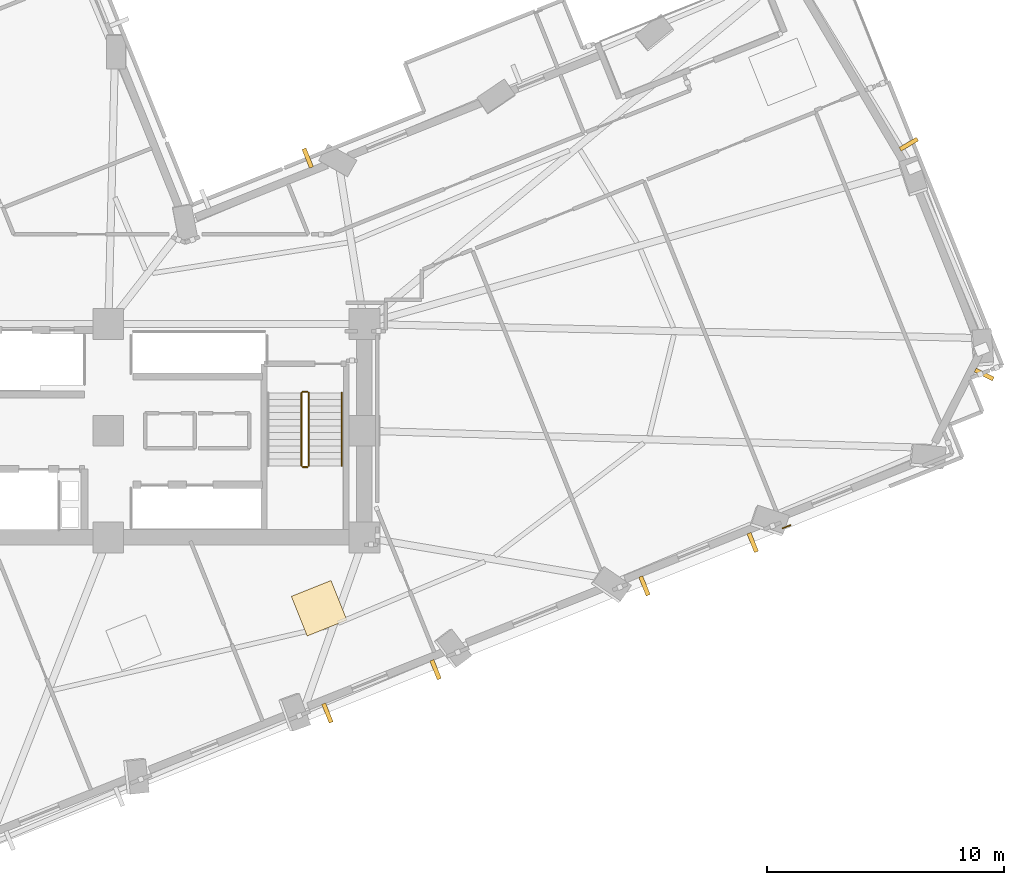
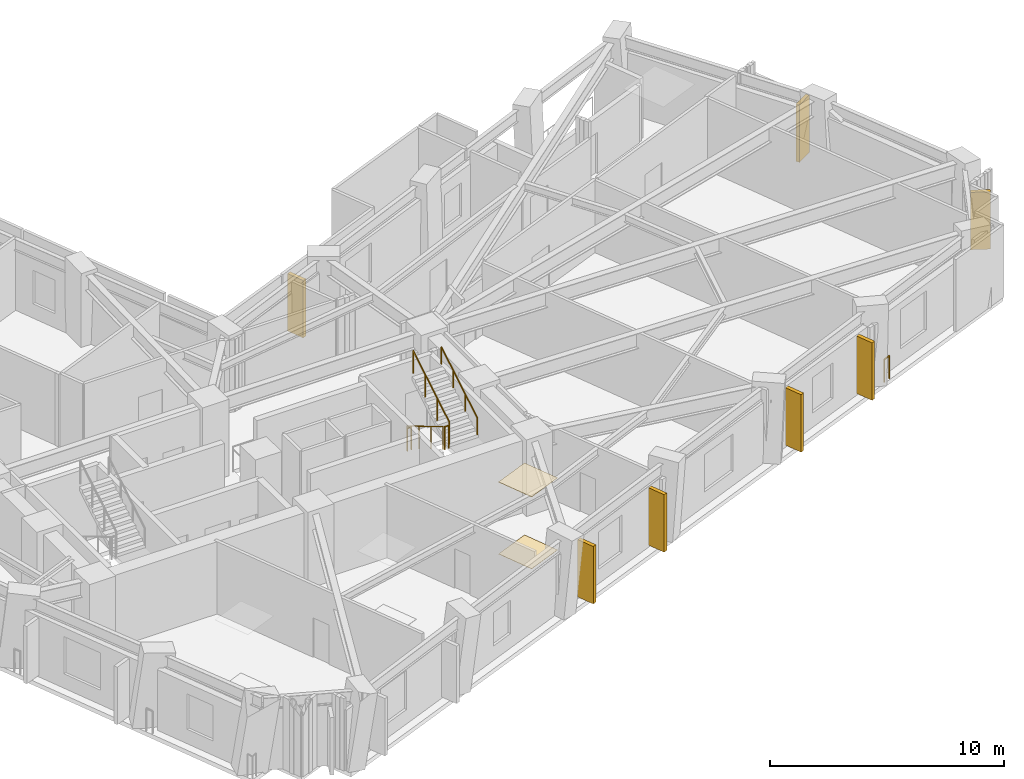
# One storey, part 14 of 16: 7 shading devices, 6 railings, 2 coverings.
"""IFC4 building model written with IfcOpenShell, lengths in metres."""

from ifc_helpers import new_model, si_unit, direction, frame, origin, origin_2d, place, context, subcontext, project, spatial, rectangle, circle, extrude, material, layer, layer_set, type_object, element, save


model = new_model("IFC4")

# Units and contexts
model_context = context("Model", 3, precision=1e-05, world=origin(), true_north=direction((0.0, 1.0)))
body_context = subcontext(model_context, "Body", "Model", "MODEL_VIEW")
ifc_project = project(units=[si_unit("LENGTHUNIT", "METRE"), si_unit("AREAUNIT", "SQUARE_METRE"), si_unit("VOLUMEUNIT", "CUBIC_METRE"), si_unit("PLANEANGLEUNIT", "RADIAN"), si_unit("MASSUNIT", "GRAM", prefix="KILO")], contexts=[model_context])

# Site, building, storey
site_placement = place(None, origin())
site = spatial("IfcSite", under=ifc_project, at=site_placement, CompositionType="ELEMENT")
building_placement = place(site_placement, origin())
building = spatial("IfcBuilding", under=site, at=building_placement, Name="Gaonmaruhae Medical Tower", CompositionType="ELEMENT")
storey_placement = place(building_placement, frame((0.0, 0.0, 116.39990234375)))
storey = spatial("IfcBuildingStorey", under=building, at=storey_placement, Name="L27", CompositionType="ELEMENT", Elevation=116.39990234375)

# Coverings
ifc_material_1 = material(Name="Acoustic mineral ceiling tile", Category="finish")
ifc_layer_1 = layer(ifc_material_1, 0.02490234375)
ifc_layer_set_1 = layer_set([ifc_layer_1], Name="Acoustic mineral ceiling tile")
covering_type_1 = type_object("IfcCoveringType", Name="CLG-01 Antimicrobial Acoustic Mineral Ceiling", PredefinedType="CEILING", material=ifc_layer_set_1)
covering_1_placement = place(storey_placement, frame((33.689208984375, 4.8154296875, 3.755126953125), z_axis=(0.0, 0.0, 1.0), x_axis=(0.928161393808, 0.372177950778, 0.0)))
element("IfcCovering", 1, at=covering_1_placement, inside=storey, type_object=covering_type_1, Name="L27 Clinical Room Acoustic Ceiling 4", PredefinedType="CEILING", context=body_context, shape_type="SweptSolid", body=[
    extrude(rectangle(XDim=1.800048828125, YDim=1.800048828125, at=origin_2d()), origin(), (0.0, 0.0, 1.0), 0.02490234375),
])
ifc_material_2 = material(Name="Seamless clinical vinyl flooring", Category="finish")
ifc_layer_2 = layer(ifc_material_2, 0.014892578125)
ifc_layer_set_2 = layer_set([ifc_layer_2], Name="Seamless clinical vinyl flooring")
covering_type_2 = type_object("IfcCoveringType", Name="FLR-01 Seamless Clinical Antistatic Vinyl Flooring", PredefinedType="FLOORING", material=ifc_layer_set_2)
covering_2_placement = place(storey_placement, frame((33.689208984375, 4.8154296875, 0.0), z_axis=(0.0, 0.0, 1.0), x_axis=(0.928161393808, 0.372177950778, 0.0)))
element("IfcCovering", 2, at=covering_2_placement, inside=storey, type_object=covering_type_2, Name="L27 Clinical Room Vinyl Flooring 4", PredefinedType="FLOORING", context=body_context, shape_type="SweptSolid", body=[
    extrude(rectangle(XDim=1.800048828125, YDim=1.800048828125, at=origin_2d()), origin(), (0.0, 0.0, 1.0), 0.014892578125),
])

# Railings
ifc_material_3 = material(Name="Stainless steel 316L and laminated safety glass", Category="steel")
ifc_layer_3 = layer(ifc_material_3, 0.080078125)
ifc_layer_set_3 = layer_set([ifc_layer_3], Name="Stainless steel 316L and laminated safety glass")
railing_type_1 = type_object("IfcRailingType", Name="GD-120 Outdoor Terrace Safety Glass & Steel Balustrade", PredefinedType="BALUSTRADE", material=ifc_layer_set_3)
railing_1_placement = place(storey_placement, frame((53.5576171875, 8.3134765625, 0.0)))
element("IfcRailing", 3, at=railing_1_placement, inside=storey, type_object=railing_type_1, Name="L27 Perimeter Slab Edge Safety Balustrade 03", PredefinedType="BALUSTRADE", context=body_context, shape_type="SweptSolid", body=[
    extrude(circle(Radius=0.02392578125, at=origin_2d()), frame((0.0, 0.0, 1.17578125), z_axis=(-0.927979749279, -0.372630628005, 0.0), x_axis=(0.372630628005, -0.927979749279, 0.0)), (0.0, 0.0, 1.0), 0.33935546875),
    extrude(circle(Radius=0.02099609375, at=origin_2d()), origin(), (0.0, 0.0, 1.0), 1.15185546875),
    extrude(circle(Radius=0.02099609375, at=origin_2d()), frame((-0.31494140625, -0.12646484375, 0.0)), (0.0, 0.0, 1.0), 1.15185546875),
])
ifc_material_4 = material(Name="Stainless steel 304 handrail", Category="steel")
railing_type_2 = type_object("IfcRailingType", Name="HR-092 Continuous Stainless Steel Stair Handrail", PredefinedType="HANDRAIL", material=ifc_material_4)
railing_2_placement = place(storey_placement, frame((34.64990234375, 10.820068359375, 2.166748046875)))
element("IfcRailing", 4, at=railing_2_placement, inside=storey, type_object=railing_type_2, Name="L27 ST-02 stair handrail 2", PredefinedType="HANDRAIL", context=body_context, shape_type="SweptSolid", body=[
    extrude(circle(Radius=0.02392578125, at=origin_2d()), frame((0.0, 0.0, 0.8759765625), z_axis=(0.0, 0.859290745958, 0.51148745235), x_axis=(-1.0, 0.0, 0.0)), (0.0, 0.0, 1.0), 3.584228515625),
    extrude(circle(Radius=0.02099609375, at=origin_2d()), origin(), (0.0, 0.0, 1.0), 0.851806640625),
    extrude(circle(Radius=0.02099609375, at=origin_2d()), frame((0.0, 1.026611328125, 0.611083984375)), (0.0, 0.0, 1.0), 0.851806640625),
    extrude(circle(Radius=0.02099609375, at=origin_2d()), frame((0.0, 2.05322265625, 1.22216796875)), (0.0, 0.0, 1.0), 0.851806640625),
    extrude(circle(Radius=0.02099609375, at=origin_2d()), frame((0.0, 3.079833984375, 1.833251953125)), (0.0, 0.0, 1.0), 0.851806640625),
])

# Shading devices
ifc_material_5 = material(Name="Pigmented coral precast concrete C45/55", Category="concrete")
shading_device_type = type_object("IfcShadingDeviceType", Name="SD-FIN1 Tower Vertical Coral Precast Shading Fin", PredefinedType="USERDEFINED", material=ifc_material_5)
for number, where, z_axis, x_axis, name in (
    (5, (38.600341796875, 2.22412109375, 0.08251953125), (0.0, 0.0, 1.0), (-0.928161393808, -0.372177950778, 0.0), "L27 Vertical Coral Precast Shading Fin S03"),
    (6, (34.0390625, 0.395263671875, 0.08251953125), (0.0, 0.0, 1.0), (-0.928161393808, -0.372177950778, 0.0), "L27 Vertical Coral Precast Shading Fin S03B"),
    (7, (51.973388671875, 7.586669921875, 0.08251953125), (0.0, 0.0, 1.0), (-0.928161393808, -0.372177950778, 0.0), "L27 Vertical Coral Precast Shading Fin S05"),
    (8, (47.40869140625, 5.756103515625, 0.08251953125), (0.0, 0.0, 1.0), (-0.928161393808, -0.372177950778, 0.0), "L27 Vertical Coral Precast Shading Fin S05B"),
    (9, (61.7373046875, 14.6728515625, 0.08251953125), (0.0, 0.0, 1.0), (-0.449350182886, -0.893355703592, 0.0), "L27 Vertical Coral Precast Shading Fin S07"),
    (10, (58.556640625, 24.384033203125, 0.08251953125), (0.0, 0.0, 1.0), (0.509642202947, -0.860386439326, 0.0), "L27 Vertical Coral Precast Shading Fin E02B"),
    (11, (33.2099609375, 23.7978515625, 0.08251953125), (0.0, 0.0, 1.0), (0.928161393808, 0.372177950778, 0.0), "L27 Vertical Coral Precast Shading Fin EN03B"),
):
    element("IfcShadingDevice", number, at=place(storey_placement, frame(where, z_axis=z_axis, x_axis=x_axis)), inside=storey, type_object=shading_device_type, Name=name, ObjectType="FIN", PredefinedType="USERDEFINED", context=body_context, shape_type="SweptSolid", body=[
        extrude(rectangle(XDim=0.179931640625, YDim=0.85009765625, at=origin_2d()), origin(), (0.0, 0.0, 1.0), 3.0),
    ])

# Railings
ifc_material_6 = material(Name="Stainless steel 304 balustrade", Category="steel")
railing_type_3 = type_object("IfcRailingType", Name="SG-112 Stair Well & Ramp Void Safety Balustrade", PredefinedType="BALUSTRADE", material=ifc_material_6)
railing_3_placement = place(storey_placement, frame((32.949951171875, 13.89990234375, 0.166748046875)))
element("IfcRailing", 12, at=railing_3_placement, inside=storey, type_object=railing_type_3, Name="L27 ST-02 stair guard 1", PredefinedType="BALUSTRADE", context=body_context, shape_type="SweptSolid", body=[
    extrude(circle(Radius=0.02392578125, at=origin_2d()), frame((0.0, 0.0, 1.17578125), z_axis=(0.0, -0.859290745958, 0.51148745235), x_axis=(1.0, 0.0, 0.0)), (0.0, 0.0, 1.0), 3.584228515625),
    extrude(circle(Radius=0.02099609375, at=origin_2d()), origin(), (0.0, 0.0, 1.0), 1.15185546875),
    extrude(circle(Radius=0.02099609375, at=origin_2d()), frame((0.0, -1.026611328125, 0.611083984375)), (0.0, 0.0, 1.0), 1.15185546875),
    extrude(circle(Radius=0.02099609375, at=origin_2d()), frame((0.0, -2.05322265625, 1.22216796875)), (0.0, 0.0, 1.0), 1.15185546875),
    extrude(circle(Radius=0.02099609375, at=origin_2d()), frame((0.0, -3.079833984375, 1.833251953125)), (0.0, 0.0, 1.0), 1.15185546875),
])
railing_4_placement = place(storey_placement, frame((33.0, 10.77001953125, 2.0)))
element("IfcRailing", 13, at=railing_4_placement, inside=storey, type_object=railing_type_3, Name="L27 ST-02 stair guard 2", PredefinedType="BALUSTRADE", context=body_context, shape_type="SweptSolid", body=[
    extrude(circle(Radius=0.02392578125, at=origin_2d()), frame((0.0, 0.0, 1.17578125), z_axis=(1.0, 0.0, 0.0), x_axis=(0.0, 1.0, 0.0)), (0.0, 0.0, 1.0), 0.199951171875),
    extrude(circle(Radius=0.02099609375, at=origin_2d()), origin(), (0.0, 0.0, 1.0), 1.15185546875),
    extrude(circle(Radius=0.02099609375, at=origin_2d()), frame((0.199951171875, 0.0, 0.0)), (0.0, 0.0, 1.0), 1.15185546875),
])
railing_5_placement = place(storey_placement, frame((33.25, 10.820068359375, 2.166748046875)))
element("IfcRailing", 14, at=railing_5_placement, inside=storey, type_object=railing_type_3, Name="L27 ST-02 stair guard 3", PredefinedType="BALUSTRADE", context=body_context, shape_type="SweptSolid", body=[
    extrude(circle(Radius=0.02392578125, at=origin_2d()), frame((0.0, 0.0, 1.17578125), z_axis=(0.0, 0.859290745958, 0.51148745235), x_axis=(-1.0, 0.0, 0.0)), (0.0, 0.0, 1.0), 3.584228515625),
    extrude(circle(Radius=0.02099609375, at=origin_2d()), origin(), (0.0, 0.0, 1.0), 1.15185546875),
    extrude(circle(Radius=0.02099609375, at=origin_2d()), frame((0.0, 1.026611328125, 0.611083984375)), (0.0, 0.0, 1.0), 1.15185546875),
    extrude(circle(Radius=0.02099609375, at=origin_2d()), frame((0.0, 2.05322265625, 1.22216796875)), (0.0, 0.0, 1.0), 1.15185546875),
    extrude(circle(Radius=0.02099609375, at=origin_2d()), frame((0.0, 3.079833984375, 1.833251953125)), (0.0, 0.0, 1.0), 1.15185546875),
])
railing_6_placement = place(storey_placement, frame((33.0, 13.949951171875, 0.0)))
element("IfcRailing", 15, at=railing_6_placement, inside=storey, type_object=railing_type_3, Name="L27 ST-02 stair guard 4", PredefinedType="BALUSTRADE", context=body_context, shape_type="SweptSolid", body=[
    extrude(circle(Radius=0.02392578125, at=origin_2d()), frame((0.0, 0.0, 1.17578125), z_axis=(1.0, 0.0, 0.0), x_axis=(0.0, 1.0, 0.0)), (0.0, 0.0, 1.0), 0.199951171875),
    extrude(circle(Radius=0.02099609375, at=origin_2d()), origin(), (0.0, 0.0, 1.0), 1.15185546875),
    extrude(circle(Radius=0.02099609375, at=origin_2d()), frame((0.199951171875, 0.0, 0.0)), (0.0, 0.0, 1.0), 1.15185546875),
])

save(model, "model.ifc")
